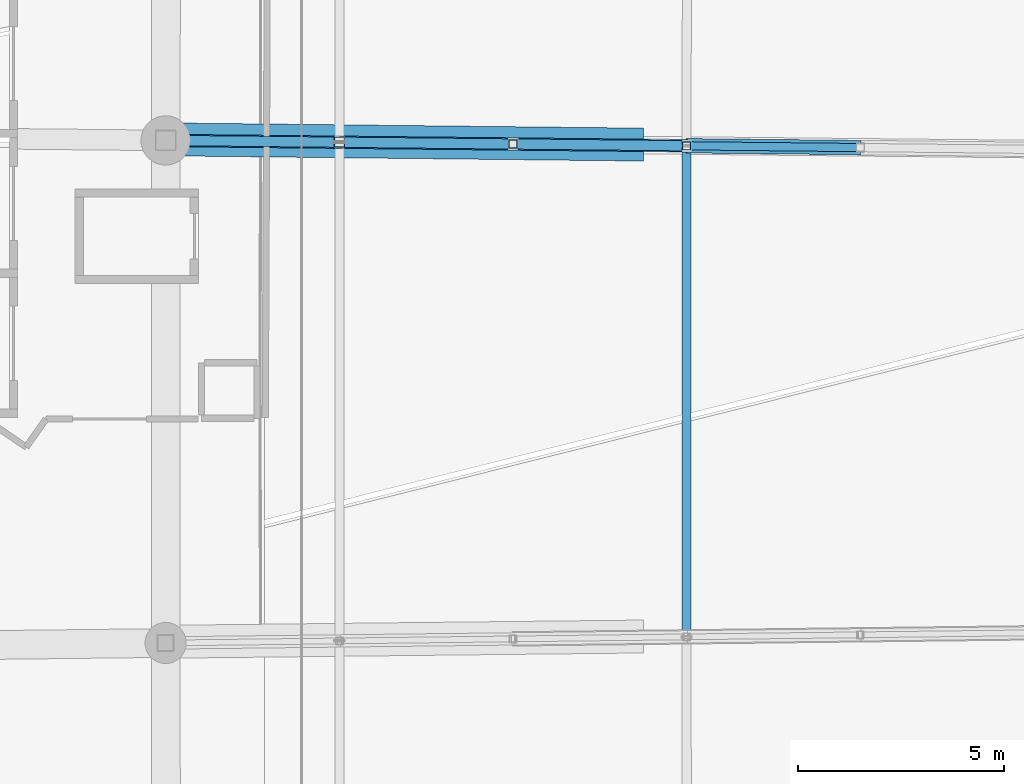
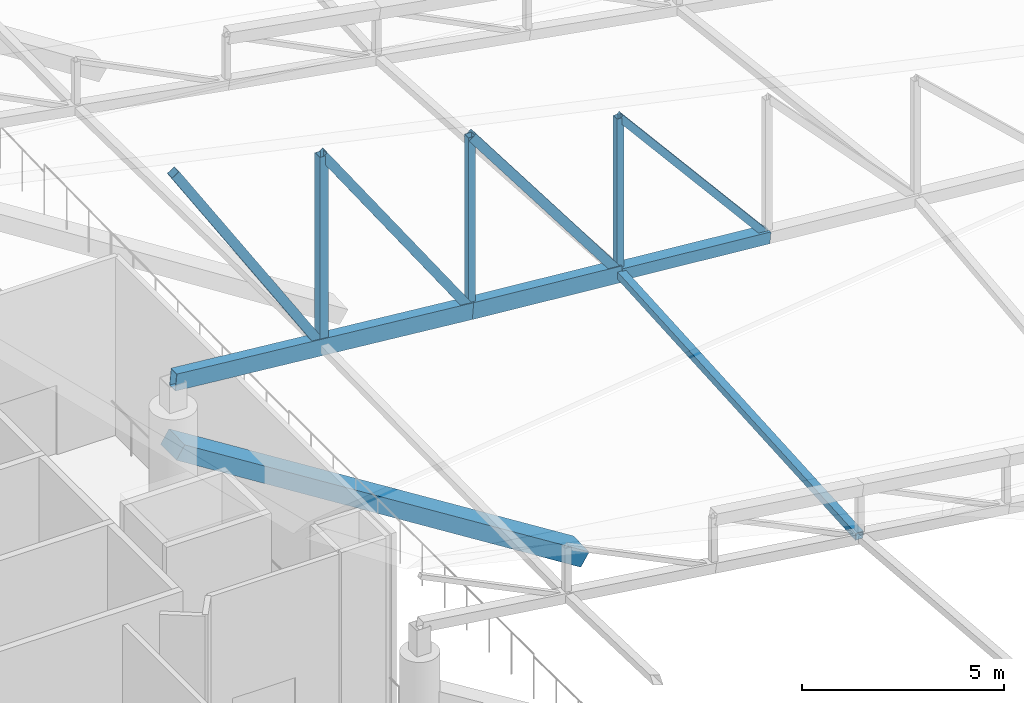
# One storey, part 60 of 344: 11 members, 1 beam.
"""IFC4 building model written with IfcOpenShell, lengths in metres."""

from ifc_helpers import new_model, si_unit, direction, frame, origin, origin_2d, place, context, subcontext, project, spatial, rectangle, hollow_rectangle, extrude, material, material_profile, profile_set, type_object, element, save


model = new_model("IFC4")

# Units and contexts
model_context = context("Model", 3, precision=1e-05, world=origin(), true_north=direction((0.0, 1.0)))
body_context = subcontext(model_context, "Body", "Model", "MODEL_VIEW")
ifc_project = project(units=[si_unit("LENGTHUNIT", "METRE"), si_unit("AREAUNIT", "SQUARE_METRE"), si_unit("VOLUMEUNIT", "CUBIC_METRE"), si_unit("PLANEANGLEUNIT", "RADIAN"), si_unit("MASSUNIT", "GRAM", prefix="KILO")], contexts=[model_context])

# Site, building, storey
site_placement = place(None, origin())
site = spatial("IfcSite", under=ifc_project, at=site_placement, CompositionType="ELEMENT")
building_placement = place(site_placement, origin())
building = spatial("IfcBuilding", under=site, at=building_placement, Name="Meseta Stadium", CompositionType="ELEMENT")
storey_placement = place(building_placement, frame((0.0, 0.0, 24.0)))
storey = spatial("IfcBuildingStorey", under=building, at=storey_placement, Name="L04", CompositionType="ELEMENT", Elevation=24.0)

# Beam
ifc_material_1 = material(Name="Concrete C40/50", Category="concrete")
ifc_material_profile_1 = material_profile(ifc_material_1, rectangle(XDim=0.800048828125, YDim=0.449951171875, at=origin_2d()), Name="RC 800x450")
ifc_profile_set_1 = profile_set([ifc_material_profile_1], Name="Concrete C40/50")
beam_type = type_object("IfcBeamType", Name="RC raker upper rear 800x450", PredefinedType="USERDEFINED", material=ifc_profile_set_1)
beam_placement = place(storey_placement, frame((-73.498046875, 5.981201171875, -2.3662109375), z_axis=(-0.847962583071, 0.009307587003, 0.529974364036), x_axis=(-0.010975751222, -0.999939764628, 0.0)))
element("IfcBeam", 1, at=beam_placement, inside=storey, type_object=beam_type, Name="Raker upper rear frame 32 upper tier", ObjectType="RAKER", PredefinedType="USERDEFINED", context=body_context, shape_type="SweptSolid", body=[
    extrude(rectangle(XDim=0.800048828125, YDim=0.449951171875, at=origin_2d()), origin(), (0.0, 0.0, 1.0), 13.56103515625),
])

# Members
ifc_material_2 = material(Name="Steel S355", Category="steel")
ifc_material_profile_2 = material_profile(ifc_material_2, hollow_rectangle(XDim=0.300048828125, YDim=0.5, WallThickness=0.01611328125, at=origin_2d()), Name="RHS 500x300x16")
ifc_profile_set_2 = profile_set([ifc_material_profile_2], Name="Steel S355")
member_type_1 = type_object("IfcMemberType", Name="RHS 500x300x16 bottom chord", PredefinedType="CHORD", material=ifc_profile_set_2)
member_1_placement = place(storey_placement, frame((-72.33154296875, 5.951171875, 5.722412109375), z_axis=(-0.996788056664, 0.010259527818, 0.079424883895), x_axis=(-0.010292041883, -0.999947035534, 0.0)))
element("IfcMember", 2, at=member_1_placement, inside=storey, type_object=member_type_1, Name="ROOF TRUSS RT-32 bottom chord", PredefinedType="CHORD", context=body_context, shape_type="SweptSolid", body=[
    extrude(hollow_rectangle(XDim=0.300048828125, YDim=0.5, WallThickness=0.01611328125, at=origin_2d()), origin(), (0.0, 0.0, 1.0), 4.23583984375),
])
member_2_placement = place(storey_placement, frame((-76.5537109375, 5.99462890625, 6.058837890625), z_axis=(-0.996117285187, 0.010224415551, 0.087440353838), x_axis=(-0.010263728125, -0.999947326555, 0.0)))
element("IfcMember", 3, at=member_2_placement, inside=storey, type_object=member_type_1, Name="ROOF TRUSS RT-32 bottom chord", PredefinedType="CHORD", context=body_context, shape_type="SweptSolid", body=[
    extrude(hollow_rectangle(XDim=0.300048828125, YDim=0.5, WallThickness=0.01611328125, at=origin_2d()), origin(), (0.0, 0.0, 1.0), 8.476806640625),
])
ifc_material_3 = material(Name="Steel S355", Category="steel")
ifc_material_profile_3 = material_profile(ifc_material_3, hollow_rectangle(XDim=0.199951171875, YDim=0.199951171875, WallThickness=0.008056640625, at=origin_2d()), Name="SHS 200x200x8")
ifc_profile_set_3 = profile_set([ifc_material_profile_3], Name="Steel S355")
member_type_2 = type_object("IfcMemberType", Name="SHS 200x200x8 diagonal", PredefinedType="BRACE", material=ifc_profile_set_3)
member_3_placement = place(storey_placement, frame((-68.109619140625, 5.90771484375, 5.38623046875), z_axis=(-0.643249517982, 0.006621084497, 0.765627989859), x_axis=(-0.010292636977, -0.999947029409, 0.0)))
element("IfcMember", 4, at=member_3_placement, inside=storey, type_object=member_type_2, Name="ROOF TRUSS RT-32 diagonal", PredefinedType="BRACE", context=body_context, shape_type="SweptSolid", body=[
    extrude(hollow_rectangle(XDim=0.199951171875, YDim=0.199951171875, WallThickness=0.008056640625, at=origin_2d()), origin(), (0.0, 0.0, 1.0), 6.5634765625),
])
ifc_material_4 = material(Name="Steel S355", Category="steel")
ifc_material_profile_4 = material_profile(ifc_material_4, hollow_rectangle(XDim=0.199951171875, YDim=0.199951171875, WallThickness=0.008056640625, at=origin_2d()), Name="SHS 200x200x8")
ifc_profile_set_4 = profile_set([ifc_material_profile_4], Name="Steel S355")
member_type_3 = type_object("IfcMemberType", Name="SHS 200x200x8 post", PredefinedType="POST", material=ifc_profile_set_4)
member_4_placement = place(storey_placement, frame((-72.33154296875, 5.951171875, 5.722412109375), z_axis=(0.0, 0.0, 1.0), x_axis=(1.0, 0.0, 0.0)))
element("IfcMember", 5, at=member_4_placement, inside=storey, type_object=member_type_3, Name="ROOF TRUSS RT-32 post", PredefinedType="POST", context=body_context, shape_type="SweptSolid", body=[
    extrude(hollow_rectangle(XDim=0.199951171875, YDim=0.199951171875, WallThickness=0.008056640625, at=origin_2d()), origin(), (0.0, 0.0, 1.0), 4.68896484375),
])
member_5_placement = place(storey_placement, frame((-76.5537109375, 5.99462890625, 6.058837890625), z_axis=(0.0, 0.0, 1.0), x_axis=(1.0, 0.0, 0.0)))
element("IfcMember", 6, at=member_5_placement, inside=storey, type_object=member_type_3, Name="ROOF TRUSS RT-32 post", PredefinedType="POST", context=body_context, shape_type="SweptSolid", body=[
    extrude(hollow_rectangle(XDim=0.199951171875, YDim=0.199951171875, WallThickness=0.008056640625, at=origin_2d()), origin(), (0.0, 0.0, 1.0), 5.237060546875),
])
ifc_material_5 = material(Name="Steel S355", Category="steel")
ifc_material_profile_5 = material_profile(ifc_material_5, hollow_rectangle(XDim=0.219970703125, YDim=0.219970703125, WallThickness=0.008056640625, at=origin_2d()), Name="SHS 220x220x8")
ifc_profile_set_5 = profile_set([ifc_material_profile_5], Name="Steel S355")
member_type_4 = type_object("IfcMemberType", Name="SHS 220x220x8 strut", PredefinedType="STRUT", material=ifc_profile_set_5)
member_6_placement = place(storey_placement, frame((-72.33154296875, 5.951171875, 5.722412109375), z_axis=(2.0406817e-05, -0.997974957556, -0.06360804725), x_axis=(0.999999999791, 2.0448225e-05, 0.0)))
element("IfcMember", 7, at=member_6_placement, inside=storey, type_object=member_type_4, Name="ROOF TRUSS STRUT RT-32/33", PredefinedType="STRUT", context=body_context, shape_type="SweptSolid", body=[
    extrude(hollow_rectangle(XDim=0.219970703125, YDim=0.219970703125, WallThickness=0.008056640625, at=origin_2d()), origin(), (0.0, 0.0, 1.0), 11.963623046875),
])
ifc_material_6 = material(Name="Steel S355", Category="steel")
ifc_material_profile_6 = material_profile(ifc_material_6, hollow_rectangle(XDim=0.25, YDim=0.25, WallThickness=0.010009765625, at=origin_2d()), Name="SHS 250x250x10")
ifc_profile_set_6 = profile_set([ifc_material_profile_6], Name="Steel S355")
member_type_5 = type_object("IfcMemberType", Name="SHS 250x250x10 diagonal", PredefinedType="BRACE", material=ifc_profile_set_6)
member_7_placement = place(storey_placement, frame((-72.33154296875, 5.951171875, 5.722412109375), z_axis=(-0.603830564015, 0.006214978628, 0.797088466861), x_axis=(-0.010292041883, -0.999947035534, 0.0)))
element("IfcMember", 8, at=member_7_placement, inside=storey, type_object=member_type_5, Name="ROOF TRUSS RT-32 diagonal", PredefinedType="BRACE", context=body_context, shape_type="SweptSolid", body=[
    extrude(hollow_rectangle(XDim=0.25, YDim=0.25, WallThickness=0.010009765625, at=origin_2d()), origin(), (0.0, 0.0, 1.0), 6.9921875),
])
member_8_placement = place(storey_placement, frame((-76.5537109375, 5.99462890625, 6.058837890625), z_axis=(-0.567736303784, 0.005843813223, 0.823189734637), x_axis=(-0.010292636977, -0.999947029409, 0.0)))
element("IfcMember", 9, at=member_8_placement, inside=storey, type_object=member_type_5, Name="ROOF TRUSS RT-32 diagonal", PredefinedType="BRACE", context=body_context, shape_type="SweptSolid", body=[
    extrude(hollow_rectangle(XDim=0.25, YDim=0.25, WallThickness=0.010009765625, at=origin_2d()), origin(), (0.0, 0.0, 1.0), 7.4365234375),
])
member_9_placement = place(storey_placement, frame((-80.775634765625, 6.0380859375, 6.395263671875), z_axis=(-0.53484464544, 0.005474325001, 0.84493268194), x_axis=(-0.010234819248, -0.999947622866, 0.0)))
element("IfcMember", 10, at=member_9_placement, inside=storey, type_object=member_type_5, Name="ROOF TRUSS RT-32 diagonal", PredefinedType="BRACE", context=body_context, shape_type="SweptSolid", body=[
    extrude(hollow_rectangle(XDim=0.25, YDim=0.25, WallThickness=0.010009765625, at=origin_2d()), origin(), (0.0, 0.0, 1.0), 7.893798828125),
])
ifc_material_7 = material(Name="Steel S355", Category="steel")
ifc_material_profile_7 = material_profile(ifc_material_7, hollow_rectangle(XDim=0.25, YDim=0.25, WallThickness=0.010009765625, at=origin_2d()), Name="SHS 250x250x10")
ifc_profile_set_7 = profile_set([ifc_material_profile_7], Name="Steel S355")
member_type_6 = type_object("IfcMemberType", Name="SHS 250x250x10 post", PredefinedType="POST", material=ifc_profile_set_7)
member_10_placement = place(storey_placement, frame((-80.775634765625, 6.0380859375, 6.395263671875), z_axis=(0.0, 0.0, 1.0), x_axis=(1.0, 0.0, 0.0)))
element("IfcMember", 11, at=member_10_placement, inside=storey, type_object=member_type_6, Name="ROOF TRUSS RT-32 post", PredefinedType="POST", context=body_context, shape_type="SweptSolid", body=[
    extrude(hollow_rectangle(XDim=0.25, YDim=0.25, WallThickness=0.010009765625, at=origin_2d()), origin(), (0.0, 0.0, 1.0), 5.78515625),
])
ifc_material_8 = material(Name="Steel S355", Category="steel")
ifc_material_profile_8 = material_profile(ifc_material_8, hollow_rectangle(XDim=0.35009765625, YDim=0.35009765625, WallThickness=0.01416015625, at=origin_2d()), Name="SHS 350x350x14.2")
ifc_profile_set_8 = profile_set([ifc_material_profile_8], Name="Steel S355")
member_type_7 = type_object("IfcMemberType", Name="SHS 350x350x14.2 bottom chord", PredefinedType="CHORD", material=ifc_profile_set_8)
member_11_placement = place(storey_placement, frame((-68.109619140625, 5.90771484375, 5.38623046875), z_axis=(-0.996792249037, 0.010260164247, 0.079372169486), x_axis=(-0.010292636977, -0.999947029409, 0.0)))
element("IfcMember", 12, at=member_11_placement, inside=storey, type_object=member_type_7, Name="ROOF TRUSS RT-32 bottom chord", PredefinedType="CHORD", context=body_context, shape_type="SweptSolid", body=[
    extrude(hollow_rectangle(XDim=0.35009765625, YDim=0.35009765625, WallThickness=0.01416015625, at=origin_2d()), origin(), (0.0, 0.0, 1.0), 4.235595703125),
])

save(model, "model.ifc")
